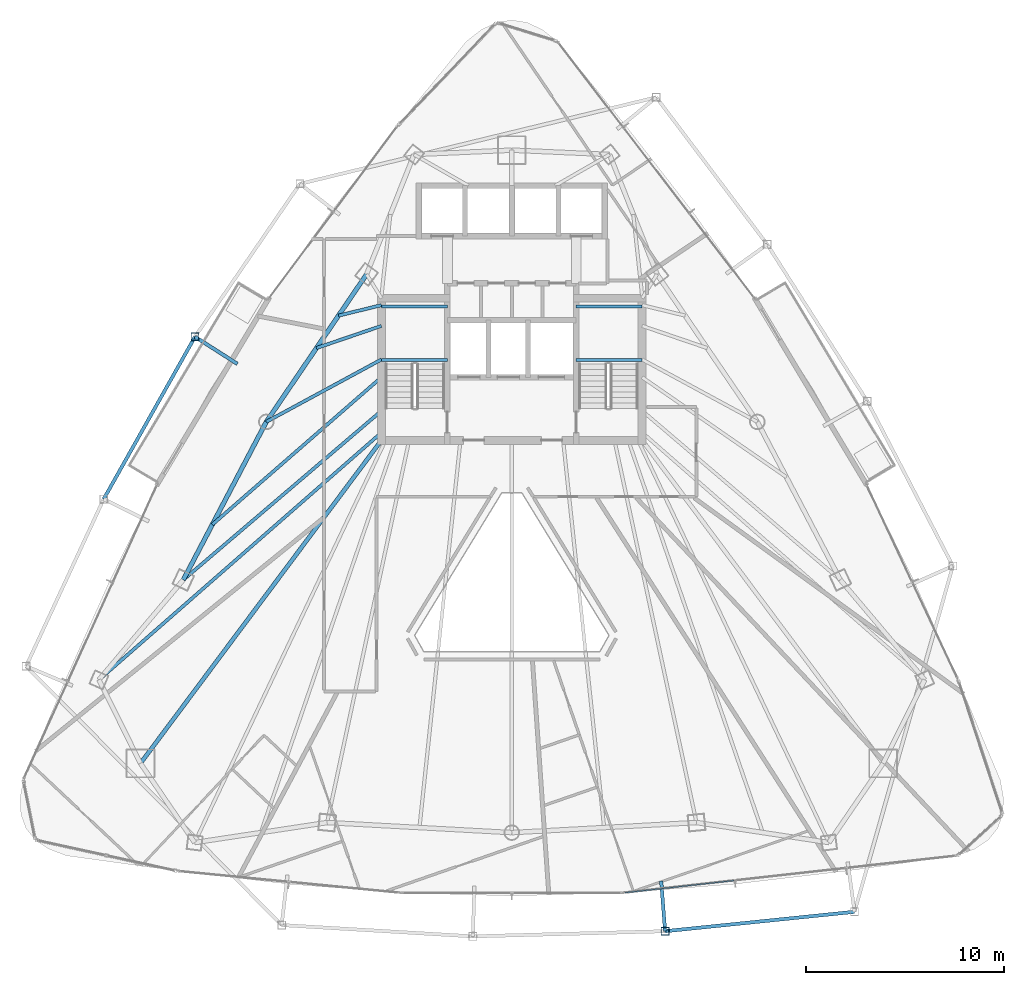
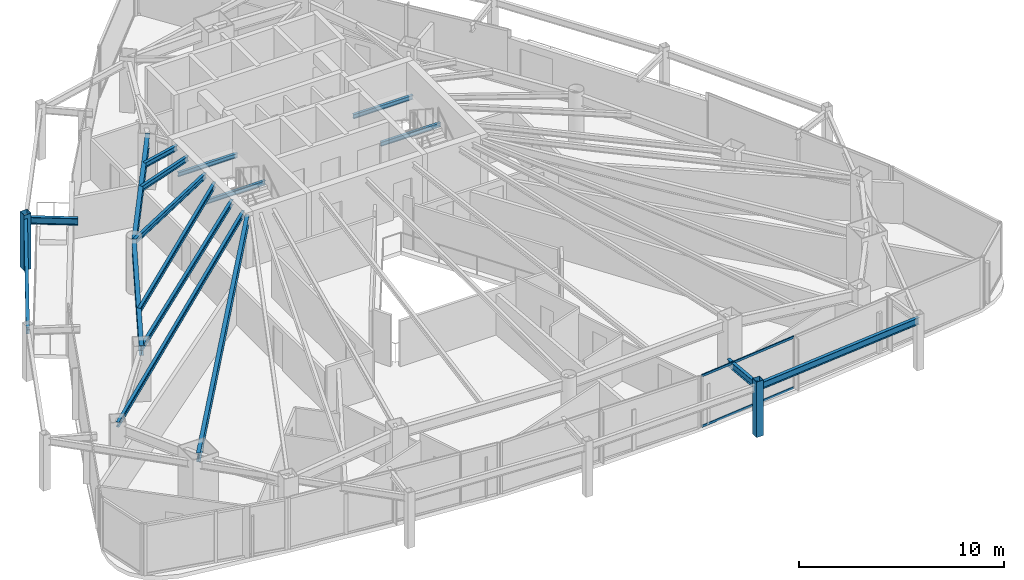
# One storey, part 11 of 29: 17 beams, 4 members, 1 element without a shape of its own.
"""IFC4 building model written with IfcOpenShell, lengths in metres."""

from ifc_helpers import new_model, si_unit, direction, frame, origin, origin_2d, place, context, subcontext, project, spatial, hollow_rectangle, i_section, extrude, material, layer, layer_set, material_profile, profile_set, type_object, element, aggregate, save


model = new_model("IFC4")

# Units and contexts
model_context = context("Model", 3, precision=1e-05, world=origin(), true_north=direction((0.0, 1.0)))
body_context = subcontext(model_context, "Body", "Model", "MODEL_VIEW")
ifc_project = project(units=[si_unit("LENGTHUNIT", "METRE"), si_unit("AREAUNIT", "SQUARE_METRE"), si_unit("VOLUMEUNIT", "CUBIC_METRE"), si_unit("PLANEANGLEUNIT", "RADIAN"), si_unit("MASSUNIT", "GRAM", prefix="KILO")], contexts=[model_context])

# Site, building, storey
site_placement = place(None, origin())
site = spatial("IfcSite", under=ifc_project, at=site_placement, CompositionType="ELEMENT")
building_placement = place(site_placement, origin())
building = spatial("IfcBuilding", under=site, at=building_placement, Name="Orvanel Arch Residences", CompositionType="ELEMENT")
storey_placement = place(building_placement, frame((0.0, 0.0, 160.550048828125)))
storey = spatial("IfcBuildingStorey", under=building, at=storey_placement, Name="L45", CompositionType="ELEMENT", Elevation=160.550048828125)

# Beams
ifc_material_1 = material(Name="Structural steel AS/NZS 3679.1 Grade 300 (300 MPa)", Category="steel")
ifc_material_profile_1 = material_profile(ifc_material_1, i_section(OverallWidth=0.208984375, OverallDepth=0.532958984375, WebThickness=0.01025390625, FlangeThickness=0.015625, at=origin_2d()), Name="530UB92.4")
ifc_profile_set_1 = profile_set([ifc_material_profile_1], Name="Structural steel AS/NZS 3679.1 Grade 300 (300 MPa)")
beam_type_1 = type_object("IfcBeamType", Name="BG-530UB", PredefinedType="BEAM", material=ifc_profile_set_1)
beam_1_placement = place(storey_placement, frame((26.375, 26.675048828125, 2.7939453125), z_axis=(-0.597893733742, -0.801575375839, 0.0), x_axis=(0.801575375839, -0.597893733742, 0.0)))
element("IfcBeam", 1, at=beam_1_placement, inside=storey, type_object=beam_type_1, Name="L45 South-West Radial Girder", PredefinedType="BEAM", context=body_context, shape_type="SweptSolid", body=[
    extrude(i_section(OverallWidth=0.208984375, OverallDepth=0.532958984375, WebThickness=0.01025390625, FlangeThickness=0.015625, at=origin_2d()), origin(), (0.0, 0.0, 1.0), 20.36474609375),
])
ifc_material_profile_2 = material_profile(ifc_material_1, i_section(OverallWidth=0.14599609375, OverallDepth=0.251953125, WebThickness=0.006103515625, FlangeThickness=0.008544921875, at=origin_2d()), Name="250UB31.4")
ifc_profile_set_2 = profile_set([ifc_material_profile_2], Name="Structural steel AS/NZS 3679.1 Grade 300 (300 MPa)")
beam_type_2 = type_object("IfcBeamType", Name="BJ-250UB", PredefinedType="JOIST", material=ifc_profile_set_2)
for number, where, z_axis, x_axis, name in (
    (2, (26.39990234375, 30.780029296875, 1.323974609375), (1.0, 0.0, 0.0), (0.0, 1.0, 0.0), "L45 ST-1 Half-Landing Support Beam 1.1"),
    (3, (26.39990234375, 33.47998046875, 1.323974609375), (1.0, 0.0, 0.0), (0.0, 1.0, 0.0), "L45 ST-1 Half-Landing Support Beam 1.2"),
    (4, (36.25, 30.780029296875, 1.323974609375), (1.0, 0.0, 0.0), (0.0, 1.0, 0.0), "L45 ST-2 Half-Landing Support Beam 1.1"),
    (5, (36.25, 33.47998046875, 1.323974609375), (1.0, 0.0, 0.0), (0.0, 1.0, 0.0), "L45 ST-2 Half-Landing Support Beam 1.2"),
):
    element("IfcBeam", number, at=place(storey_placement, frame(where, z_axis=z_axis, x_axis=x_axis)), inside=storey, type_object=beam_type_2, Name=name, PredefinedType="JOIST", context=body_context, shape_type="SweptSolid", body=[
        extrude(i_section(OverallWidth=0.14599609375, OverallDepth=0.251953125, WebThickness=0.006103515625, FlangeThickness=0.008544921875, at=origin_2d()), origin(), (0.0, 0.0, 1.0), 3.35009765625),
    ])
ifc_material_profile_3 = material_profile(ifc_material_1, i_section(OverallWidth=0.1650390625, OverallDepth=0.303955078125, WebThickness=0.006103515625, FlangeThickness=0.01025390625, at=origin_2d()), Name="310UB40.4")
ifc_profile_set_3 = profile_set([ifc_material_profile_3], Name="Structural steel AS/NZS 3679.1 Grade 300 (300 MPa)")
beam_type_3 = type_object("IfcBeamType", Name="BJ-310UB", PredefinedType="JOIST", material=ifc_profile_set_3)
beam_2_placement = place(storey_placement, frame((26.39990234375, 30.800048828125, 2.907958984375), z_axis=(-0.87925534649, -0.476350748576, 0.0), x_axis=(0.476350748576, -0.87925534649, 0.0)))
element("IfcBeam", 6, at=beam_2_placement, inside=storey, type_object=beam_type_3, Name="L45 NW Wing Floor Joist", PredefinedType="JOIST", context=body_context, shape_type="SweptSolid", body=[
    extrude(i_section(OverallWidth=0.1650390625, OverallDepth=0.303955078125, WebThickness=0.006103515625, FlangeThickness=0.01025390625, at=origin_2d()), origin(), (0.0, 0.0, 1.0), 6.631591796875),
])
beam_3_placement = place(storey_placement, frame((26.39990234375, 28.199951171875, 2.907958984375), z_axis=(-0.760821315761, -0.648961420644, 0.0), x_axis=(0.648961420644, -0.760821315761, 0.0)))
element("IfcBeam", 7, at=beam_3_placement, inside=storey, type_object=beam_type_3, Name="L45 W Wing Floor Joist", PredefinedType="JOIST", context=body_context, shape_type="SweptSolid", body=[
    extrude(i_section(OverallWidth=0.1650390625, OverallDepth=0.303955078125, WebThickness=0.006103515625, FlangeThickness=0.01025390625, at=origin_2d()), origin(), (0.0, 0.0, 1.0), 13.18701171875),
])
beam_4_placement = place(storey_placement, frame((26.39990234375, 32.5, 2.907958984375), z_axis=(-0.946441958332, -0.322873999431, 0.0), x_axis=(0.322873999431, -0.946441958332, 0.0)))
element("IfcBeam", 8, at=beam_4_placement, inside=storey, type_object=beam_type_3, Name="L45 WNW Wing Floor Joist", PredefinedType="JOIST", context=body_context, shape_type="SweptSolid", body=[
    extrude(i_section(OverallWidth=0.1650390625, OverallDepth=0.303955078125, WebThickness=0.006103515625, FlangeThickness=0.01025390625, at=origin_2d()), origin(), (0.0, 0.0, 1.0), 3.478271484375),
])
beam_5_placement = place(storey_placement, frame((26.39990234375, 27.10009765625, 2.907958984375), z_axis=(-0.752493154183, -0.658600070534, 0.0), x_axis=(0.658600070534, -0.752493154183, 0.0)))
element("IfcBeam", 9, at=beam_5_placement, inside=storey, type_object=beam_type_3, Name="L45 MW Wing Floor Joist", PredefinedType="JOIST", context=body_context, shape_type="SweptSolid", body=[
    extrude(i_section(OverallWidth=0.1650390625, OverallDepth=0.303955078125, WebThickness=0.006103515625, FlangeThickness=0.01025390625, at=origin_2d()), origin(), (0.0, 0.0, 1.0), 19.010009765625),
])
beam_6_placement = place(storey_placement, frame((26.39990234375, 29.89990234375, 2.907958984375), z_axis=(-0.754047930849, -0.656819395254, 0.0), x_axis=(0.656819395254, -0.754047930849, 0.0)))
element("IfcBeam", 10, at=beam_6_placement, inside=storey, type_object=beam_type_3, Name="L45 CTW Wing Floor Joist", PredefinedType="JOIST", context=body_context, shape_type="SweptSolid", body=[
    extrude(i_section(OverallWidth=0.1650390625, OverallDepth=0.303955078125, WebThickness=0.006103515625, FlangeThickness=0.01025390625, at=origin_2d()), origin(), (0.0, 0.0, 1.0), 11.354736328125),
])
beam_7_placement = place(storey_placement, frame((26.39990234375, 33.550048828125, 2.907958984375), z_axis=(-0.971638471014, -0.236471312521, 0.0), x_axis=(0.236471312521, -0.971638471014, 0.0)))
element("IfcBeam", 11, at=beam_7_placement, inside=storey, type_object=beam_type_3, Name="L45 JADD3 Wing Floor Joist", PredefinedType="JOIST", context=body_context, shape_type="SweptSolid", body=[
    extrude(i_section(OverallWidth=0.1650390625, OverallDepth=0.303955078125, WebThickness=0.006103515625, FlangeThickness=0.01025390625, at=origin_2d()), origin(), (0.0, 0.0, 1.0), 2.2373046875),
])
ifc_material_profile_4 = material_profile(ifc_material_1, i_section(OverallWidth=0.177978515625, OverallDepth=0.406005859375, WebThickness=0.0078125, FlangeThickness=0.0126953125, at=origin_2d()), Name="410UB59.7")
ifc_profile_set_4 = profile_set([ifc_material_profile_4], Name="Structural steel AS/NZS 3679.1 Grade 300 (300 MPa)")
beam_type_4 = type_object("IfcBeamType", Name="OB-410UB-EXT", PredefinedType="SPANDREL", material=ifc_profile_set_4)
beam_8_placement = place(storey_placement, frame((19.10791015625, 30.573974609375, 2.85693359375), z_axis=(-0.842500784335, 0.538695116364, 0.0), x_axis=(-0.538695116364, -0.842500784335, 0.0)))
element("IfcBeam", 12, at=beam_8_placement, inside=storey, type_object=beam_type_4, Name="L45 Outer Frame Radial Tie Beam 02", PredefinedType="SPANDREL", context=body_context, shape_type="SweptSolid", body=[
    extrude(i_section(OverallWidth=0.177978515625, OverallDepth=0.406005859375, WebThickness=0.0078125, FlangeThickness=0.0126953125, at=origin_2d()), origin(), (0.0, 0.0, 1.0), 2.550537109375),
])
beam_9_placement = place(storey_placement, frame((16.958984375, 31.947998046875, 2.85693359375), z_axis=(-0.490269847932, -0.8715706949, 0.0), x_axis=(0.8715706949, -0.490269847932, 0.0)))
element("IfcBeam", 13, at=beam_9_placement, inside=storey, type_object=beam_type_4, Name="L45 Outer Perimeter Floor Ring Beam 02", PredefinedType="SPANDREL", context=body_context, shape_type="SweptSolid", body=[
    extrude(i_section(OverallWidth=0.177978515625, OverallDepth=0.406005859375, WebThickness=0.0078125, FlangeThickness=0.0126953125, at=origin_2d()), origin(), (0.0, 0.0, 1.0), 9.425537109375),
])
beam_10_placement = place(storey_placement, frame((40.56298828125, 4.39501953125, 2.85693359375), z_axis=(0.078036368424, -0.996950512916, 0.0), x_axis=(0.996950512916, 0.078036368424, 0.0)))
element("IfcBeam", 14, at=beam_10_placement, inside=storey, type_object=beam_type_4, Name="L45 Outer Frame Radial Tie Beam 07", PredefinedType="SPANDREL", context=body_context, shape_type="SweptSolid", body=[
    extrude(i_section(OverallWidth=0.177978515625, OverallDepth=0.406005859375, WebThickness=0.0078125, FlangeThickness=0.0126953125, at=origin_2d()), origin(), (0.0, 0.0, 1.0), 2.5498046875),
])
beam_11_placement = place(storey_placement, frame((40.761962890625, 1.85302734375, 2.85693359375), z_axis=(0.994800006325, 0.101847667696, 0.0), x_axis=(-0.101847667696, 0.994800006325, 0.0)))
element("IfcBeam", 15, at=beam_11_placement, inside=storey, type_object=beam_type_4, Name="L45 Outer Perimeter Floor Ring Beam 07", PredefinedType="SPANDREL", context=body_context, shape_type="SweptSolid", body=[
    extrude(i_section(OverallWidth=0.177978515625, OverallDepth=0.406005859375, WebThickness=0.0078125, FlangeThickness=0.0126953125, at=origin_2d()), origin(), (0.0, 0.0, 1.0), 9.64111328125),
])
ifc_material_profile_5 = material_profile(ifc_material_1, i_section(OverallWidth=0.22900390625, OverallDepth=0.612060546875, WebThickness=0.011962890625, FlangeThickness=0.01953125, at=origin_2d()), Name="610UB125")
ifc_profile_set_5 = profile_set([ifc_material_profile_5], Name="Structural steel AS/NZS 3679.1 Grade 300 (300 MPa)")
beam_type_5 = type_object("IfcBeamType", Name="SP-610UB", PredefinedType="SPANDREL", material=ifc_profile_set_5)
beam_12_placement = place(storey_placement, frame((25.64794921875, 35.113037109375, 2.75390625), z_axis=(-0.562154793153, -0.827032035978, 0.0), x_axis=(0.827032035978, -0.562154793153, 0.0)))
element("IfcBeam", 16, at=beam_12_placement, inside=storey, type_object=beam_type_5, Name="L45 Perimeter Spandrel Beam 17", PredefinedType="SPANDREL", context=body_context, shape_type="SweptSolid", body=[
    extrude(i_section(OverallWidth=0.22900390625, OverallDepth=0.612060546875, WebThickness=0.011962890625, FlangeThickness=0.01953125, at=origin_2d()), origin(), (0.0, 0.0, 1.0), 9.03466796875),
])
beam_13_placement = place(storey_placement, frame((20.569091796875, 27.64111328125, 2.75390625), z_axis=(-0.465064762793, -0.885276660942, 0.0), x_axis=(0.885276660942, -0.465064762793, 0.0)))
element("IfcBeam", 17, at=beam_13_placement, inside=storey, type_object=beam_type_5, Name="L45 Perimeter Spandrel Beam 18", PredefinedType="SPANDREL", context=body_context, shape_type="SweptSolid", body=[
    extrude(i_section(OverallWidth=0.22900390625, OverallDepth=0.612060546875, WebThickness=0.011962890625, FlangeThickness=0.01953125, at=origin_2d()), origin(), (0.0, 0.0, 1.0), 9.03564453125),
])

# Members
ifc_material_2 = material(Name="Structural steel AS/NZS 1163 C450L0 (Grade 450)", Category="steel")
ifc_material_profile_6 = material_profile(ifc_material_2, hollow_rectangle(XDim=0.39990234375, YDim=0.39990234375, WallThickness=0.01611328125, at=origin_2d()), Name="SHS400x400x16")
ifc_profile_set_6 = profile_set([ifc_material_profile_6], Name="Structural steel AS/NZS 1163 C450L0 (Grade 450)")
member_type_1 = type_object("IfcMemberType", Name="ST-400SHS-EXT", PredefinedType="STRUT", material=ifc_profile_set_6)
for number, where, z_axis, x_axis, name in (
    (18, (16.958984375, 31.947998046875, 0.0), (0.0, 0.0, 1.0), (1.0, 0.0, 0.0), "L45 Outer Perimeter Frame Post 02"),
    (19, (40.761962890625, 1.85302734375, 0.0), (0.0, 0.0, 1.0), (1.0, 0.0, 0.0), "L45 Outer Perimeter Frame Post 07"),
):
    element("IfcMember", number, at=place(storey_placement, frame(where, z_axis=z_axis, x_axis=x_axis)), inside=storey, type_object=member_type_1, Name=name, PredefinedType="STRUT", context=body_context, shape_type="SweptSolid", body=[
        extrude(hollow_rectangle(XDim=0.39990234375, YDim=0.39990234375, WallThickness=0.01611328125, at=origin_2d()), origin(), (0.0, 0.0, 1.0), 3.300048828125),
    ])

# Curtain wall, members
ifc_material_3 = material(Name="Bronze-anodised aluminium AA6063-T6", Category="aluminium")
ifc_layer = layer(ifc_material_3, 0.179931640625)
ifc_layer_set = layer_set([ifc_layer], Name="Bronze-anodised aluminium AA6063-T6")
curtain_wall_type = type_object("IfcCurtainWallType", Name="CW3-MID-SYS", PredefinedType="NOTDEFINED", material=ifc_layer_set)
curtain_wall_placement = place(storey_placement, origin())
curtain_wall = element("IfcCurtainWall", 20, at=curtain_wall_placement, inside=storey, type_object=curtain_wall_type, Name="L45 CW3-MID-SYS Unitised Curtain Wall", PredefinedType="NOTDEFINED")
ifc_material_profile_7 = material_profile(ifc_material_3, hollow_rectangle(XDim=0.06005859375, YDim=0.135009765625, WallThickness=0.00390625, at=origin_2d()), Name="ALU135x60x4")
ifc_profile_set_7 = profile_set([ifc_material_profile_7], Name="Bronze-anodised aluminium AA6063-T6")
member_type_2 = type_object("IfcMemberType", Name="TRN-135x60", PredefinedType="USERDEFINED", material=ifc_profile_set_7)
member_1_placement = place(storey_placement, frame((38.73046875, 3.802734375, 0.030029296875), z_axis=(0.993863897635, 0.110609913558, 0.0), x_axis=(-0.110609913558, 0.993863897635, 0.0)))
member_1 = element("IfcMember", 21, at=member_1_placement, type_object=member_type_2, Name="CW-S3 transom 1.1", ObjectType="TRANSOM", PredefinedType="USERDEFINED", context=body_context, shape_type="SweptSolid", body=[
    extrude(hollow_rectangle(XDim=0.06005859375, YDim=0.135009765625, WallThickness=0.00390625, at=origin_2d()), origin(), (0.0, 0.0, 1.0), 5.557861328125),
])
member_2_placement = place(storey_placement, frame((38.73046875, 3.802734375, 3.030029296875), z_axis=(0.993863897635, 0.110609913558, 0.0), x_axis=(-0.110609913558, 0.993863897635, 0.0)))
member_2 = element("IfcMember", 22, at=member_2_placement, type_object=member_type_2, Name="CW-S3 transom 1.2", ObjectType="TRANSOM", PredefinedType="USERDEFINED", context=body_context, shape_type="SweptSolid", body=[
    extrude(hollow_rectangle(XDim=0.06005859375, YDim=0.135009765625, WallThickness=0.00390625, at=origin_2d()), origin(), (0.0, 0.0, 1.0), 5.557861328125),
])
aggregate(curtain_wall, [member_1, member_2])

save(model, "model.ifc")
